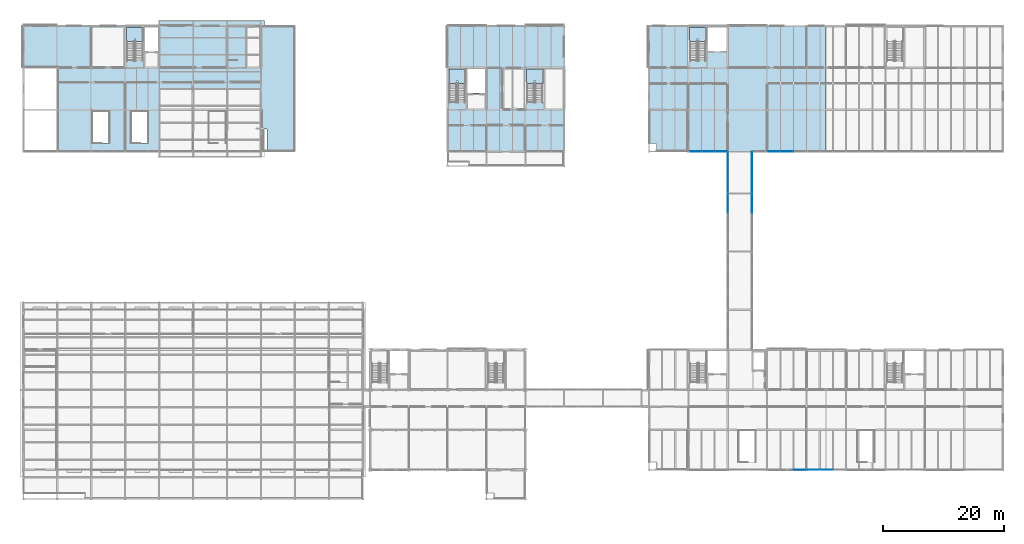
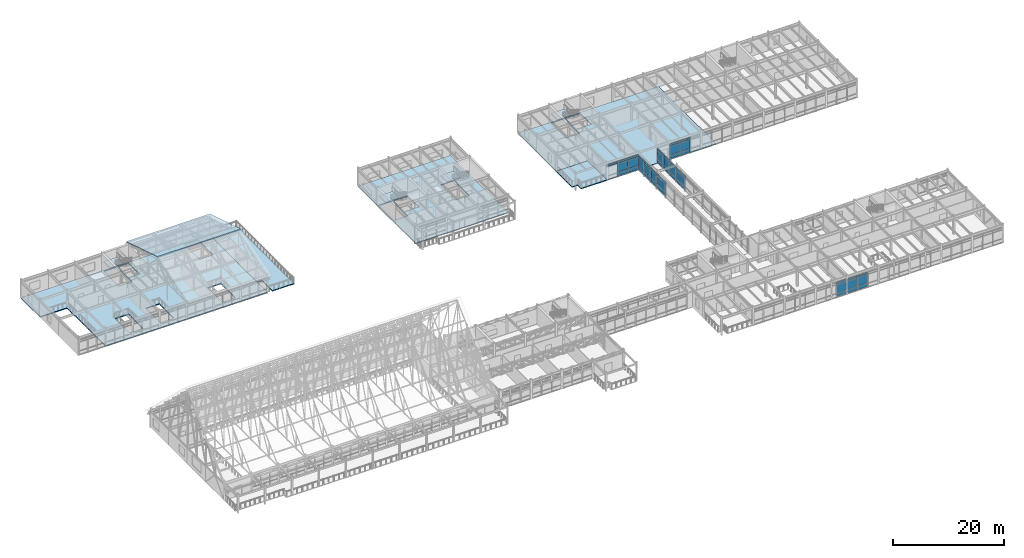
# One storey, part 98 of 144: 46 plates, 10 slabs, 12 elements without a shape of their own.
"""IFC4 building model written with IfcOpenShell, lengths in metres."""

from ifc_helpers import new_model, si_unit, direction, frame, origin, origin_2d, place, context, subcontext, project, spatial, polyline, rectangle, outline, extrude, material, layer, layer_set, type_object, element, aggregate, save


model = new_model("IFC4")

# Units and contexts
model_context = context("Model", 3, precision=1e-05, world=origin(), true_north=direction((0.0, 1.0)))
body_context = subcontext(model_context, "Body", "Model", "MODEL_VIEW")
ifc_project = project(units=[si_unit("LENGTHUNIT", "METRE"), si_unit("AREAUNIT", "SQUARE_METRE"), si_unit("VOLUMEUNIT", "CUBIC_METRE"), si_unit("PLANEANGLEUNIT", "RADIAN"), si_unit("MASSUNIT", "GRAM", prefix="KILO")], contexts=[model_context])

# Site, building, storey
site_placement = place(None, origin())
site = spatial("IfcSite", under=ifc_project, at=site_placement, CompositionType="ELEMENT")
building_placement = place(site_placement, origin())
building = spatial("IfcBuilding", under=site, at=building_placement, Name="Trelmorton Wharf Fire Station", CompositionType="ELEMENT")
storey_placement = place(building_placement, frame((0.0, 0.0, 5.39990234375)))
storey = spatial("IfcBuildingStorey", under=building, at=storey_placement, Name="L01", CompositionType="ELEMENT", Elevation=5.39990234375)

# Curtain wall, plates
ifc_material_1 = material(Name="Anodised aluminium AW-6063", Category="aluminium")
ifc_layer_1 = layer(ifc_material_1, 0.175048828125)
ifc_layer_set_1 = layer_set([ifc_layer_1], Name="Anodised aluminium AW-6063")
curtain_wall_type_1 = type_object("IfcCurtainWallType", Name="CW_CHIC_B", PredefinedType="USERDEFINED", material=ifc_layer_set_1)
curtain_wall_1_placement = place(storey_placement, origin())
curtain_wall_1 = element("IfcCurtainWall", 1, at=curtain_wall_1_placement, inside=storey, type_object=curtain_wall_type_1, Name="CW-V5-L01-040", ObjectType="CHICAGO BAY CURTAIN WALL", PredefinedType="USERDEFINED")
ifc_material_2 = material(Name="Tempered low-E double glazing", Category="glass")
ifc_layer_2 = layer(ifc_material_2, 0.028076171875)
ifc_layer_set_2 = layer_set([ifc_layer_2], Name="Tempered low-E double glazing")
plate_type_1 = type_object("IfcPlateType", Name="CWP_GLAZ_28", PredefinedType="CURTAIN_PANEL", material=ifc_layer_set_2)
plate_1_placement = place(storey_placement, frame((128.8984375, 7.800048828125, 0.06005859375), z_axis=(0.0, 0.0, 1.0), x_axis=(-1.0, 0.0, 0.0)))
plate_1 = element("IfcPlate", 2, at=plate_1_placement, type_object=plate_type_1, Name="CW2 panel 1.1", PredefinedType="CURTAIN_PANEL", context=body_context, shape_type="SweptSolid", body=[
    extrude(rectangle(XDim=2.0732421875, YDim=0.028076171875, at=origin_2d()), origin(), (0.0, 0.0, 1.0), 0.760009765625),
])
plate_2_placement = place(storey_placement, frame((128.8984375, 7.800048828125, 0.88037109375), z_axis=(0.0, 0.0, 1.0), x_axis=(-1.0, 0.0, 0.0)))
plate_2 = element("IfcPlate", 3, at=plate_2_placement, type_object=plate_type_1, Name="CW2 panel 1.2", PredefinedType="CURTAIN_PANEL", context=body_context, shape_type="SweptSolid", body=[
    extrude(rectangle(XDim=2.0732421875, YDim=0.028076171875, at=origin_2d()), origin(), (0.0, 0.0, 1.0), 1.909912109375),
])
plate_3_placement = place(storey_placement, frame((128.8984375, 7.800048828125, 2.85009765625), z_axis=(0.0, 0.0, 1.0), x_axis=(-1.0, 0.0, 0.0)))
plate_3 = element("IfcPlate", 4, at=plate_3_placement, type_object=plate_type_1, Name="CW2 panel 1.3", PredefinedType="CURTAIN_PANEL", context=body_context, shape_type="SweptSolid", body=[
    extrude(rectangle(XDim=2.0732421875, YDim=0.028076171875, at=origin_2d()), origin(), (0.0, 0.0, 1.0), 0.409912109375),
])
aggregate(curtain_wall_1, [plate_1, plate_2, plate_3])

ifc_layer_3 = layer(ifc_material_1, 0.159912109375)
ifc_layer_set_3 = layer_set([ifc_layer_3], Name="Anodised aluminium AW-6063")
curtain_wall_type_2 = type_object("IfcCurtainWallType", Name="CW_CHIC_A", PredefinedType="USERDEFINED", material=ifc_layer_set_3)
curtain_wall_2_placement = place(storey_placement, origin())
curtain_wall_2 = element("IfcCurtainWall", 5, at=curtain_wall_2_placement, inside=storey, type_object=curtain_wall_type_2, Name="CW-V5-L01-041", ObjectType="CHICAGO BAY CURTAIN WALL", PredefinedType="USERDEFINED")
plate_4_placement = place(storey_placement, frame((133.25, 7.800048828125, 0.06005859375), z_axis=(0.0, 0.0, 1.0), x_axis=(-1.0, 0.0, 0.0)))
plate_4 = element("IfcPlate", 6, at=plate_4_placement, type_object=plate_type_1, Name="CW1 panel 2.1", PredefinedType="CURTAIN_PANEL", context=body_context, shape_type="SweptSolid", body=[
    extrude(rectangle(XDim=2.103271484375, YDim=0.028076171875, at=origin_2d()), origin(), (0.0, 0.0, 1.0), 0.760009765625),
])
plate_5_placement = place(storey_placement, frame((133.25, 7.800048828125, 0.88037109375), z_axis=(0.0, 0.0, 1.0), x_axis=(-1.0, 0.0, 0.0)))
plate_5 = element("IfcPlate", 7, at=plate_5_placement, type_object=plate_type_1, Name="CW1 panel 2.2", PredefinedType="CURTAIN_PANEL", context=body_context, shape_type="SweptSolid", body=[
    extrude(rectangle(XDim=2.103271484375, YDim=0.028076171875, at=origin_2d()), origin(), (0.0, 0.0, 1.0), 1.909912109375),
])
plate_6_placement = place(storey_placement, frame((133.25, 7.800048828125, 2.85009765625), z_axis=(0.0, 0.0, 1.0), x_axis=(-1.0, 0.0, 0.0)))
plate_6 = element("IfcPlate", 8, at=plate_6_placement, type_object=plate_type_1, Name="CW1 panel 2.3", PredefinedType="CURTAIN_PANEL", context=body_context, shape_type="SweptSolid", body=[
    extrude(rectangle(XDim=2.103271484375, YDim=0.028076171875, at=origin_2d()), origin(), (0.0, 0.0, 1.0), 0.409912109375),
])
plate_7_placement = place(storey_placement, frame((131.1015625, 7.800048828125, 0.06005859375), z_axis=(0.0, 0.0, 1.0), x_axis=(-1.0, 0.0, 0.0)))
plate_7 = element("IfcPlate", 9, at=plate_7_placement, type_object=plate_type_1, Name="CW1 panel 3.1", PredefinedType="CURTAIN_PANEL", context=body_context, shape_type="SweptSolid", body=[
    extrude(rectangle(XDim=2.0732421875, YDim=0.028076171875, at=origin_2d()), origin(), (0.0, 0.0, 1.0), 0.760009765625),
])
plate_8_placement = place(storey_placement, frame((131.1015625, 7.800048828125, 0.88037109375), z_axis=(0.0, 0.0, 1.0), x_axis=(-1.0, 0.0, 0.0)))
plate_8 = element("IfcPlate", 10, at=plate_8_placement, type_object=plate_type_1, Name="CW1 panel 3.2", PredefinedType="CURTAIN_PANEL", context=body_context, shape_type="SweptSolid", body=[
    extrude(rectangle(XDim=2.0732421875, YDim=0.028076171875, at=origin_2d()), origin(), (0.0, 0.0, 1.0), 1.909912109375),
])
plate_9_placement = place(storey_placement, frame((131.1015625, 7.800048828125, 2.85009765625), z_axis=(0.0, 0.0, 1.0), x_axis=(-1.0, 0.0, 0.0)))
plate_9 = element("IfcPlate", 11, at=plate_9_placement, type_object=plate_type_1, Name="CW1 panel 3.3", PredefinedType="CURTAIN_PANEL", context=body_context, shape_type="SweptSolid", body=[
    extrude(rectangle(XDim=2.0732421875, YDim=0.028076171875, at=origin_2d()), origin(), (0.0, 0.0, 1.0), 0.409912109375),
])
aggregate(curtain_wall_2, [plate_4, plate_5, plate_6, plate_7, plate_8, plate_9])

curtain_wall_3_placement = place(storey_placement, origin())
curtain_wall_3 = element("IfcCurtainWall", 12, at=curtain_wall_3_placement, inside=storey, type_object=curtain_wall_type_2, Name="CW-V4-L01-124", ObjectType="CHICAGO BAY CURTAIN WALL", PredefinedType="USERDEFINED")
plate_10_placement = place(storey_placement, frame((126.75, 60.300048828125, 0.06005859375), z_axis=(0.0, 0.0, 1.0), x_axis=(-1.0, 0.0, 0.0)))
plate_10 = element("IfcPlate", 13, at=plate_10_placement, type_object=plate_type_1, Name="CW1 panel 2.1", PredefinedType="CURTAIN_PANEL", context=body_context, shape_type="SweptSolid", body=[
    extrude(rectangle(XDim=2.103271484375, YDim=0.028076171875, at=origin_2d()), origin(), (0.0, 0.0, 1.0), 0.760009765625),
])
plate_11_placement = place(storey_placement, frame((126.75, 60.300048828125, 0.88037109375), z_axis=(0.0, 0.0, 1.0), x_axis=(-1.0, 0.0, 0.0)))
plate_11 = element("IfcPlate", 14, at=plate_11_placement, type_object=plate_type_1, Name="CW1 panel 2.2", PredefinedType="CURTAIN_PANEL", context=body_context, shape_type="SweptSolid", body=[
    extrude(rectangle(XDim=2.103271484375, YDim=0.028076171875, at=origin_2d()), origin(), (0.0, 0.0, 1.0), 1.909912109375),
])
plate_12_placement = place(storey_placement, frame((126.75, 60.300048828125, 2.85009765625), z_axis=(0.0, 0.0, 1.0), x_axis=(-1.0, 0.0, 0.0)))
plate_12 = element("IfcPlate", 15, at=plate_12_placement, type_object=plate_type_1, Name="CW1 panel 2.3", PredefinedType="CURTAIN_PANEL", context=body_context, shape_type="SweptSolid", body=[
    extrude(rectangle(XDim=2.103271484375, YDim=0.028076171875, at=origin_2d()), origin(), (0.0, 0.0, 1.0), 0.409912109375),
])
plate_13_placement = place(storey_placement, frame((124.6015625, 60.300048828125, 0.06005859375), z_axis=(0.0, 0.0, 1.0), x_axis=(-1.0, 0.0, 0.0)))
plate_13 = element("IfcPlate", 16, at=plate_13_placement, type_object=plate_type_1, Name="CW1 panel 3.1", PredefinedType="CURTAIN_PANEL", context=body_context, shape_type="SweptSolid", body=[
    extrude(rectangle(XDim=2.0732421875, YDim=0.028076171875, at=origin_2d()), origin(), (0.0, 0.0, 1.0), 0.760009765625),
])
plate_14_placement = place(storey_placement, frame((124.6015625, 60.300048828125, 0.88037109375), z_axis=(0.0, 0.0, 1.0), x_axis=(-1.0, 0.0, 0.0)))
plate_14 = element("IfcPlate", 17, at=plate_14_placement, type_object=plate_type_1, Name="CW1 panel 3.2", PredefinedType="CURTAIN_PANEL", context=body_context, shape_type="SweptSolid", body=[
    extrude(rectangle(XDim=2.0732421875, YDim=0.028076171875, at=origin_2d()), origin(), (0.0, 0.0, 1.0), 1.909912109375),
])
plate_15_placement = place(storey_placement, frame((124.6015625, 60.300048828125, 2.85009765625), z_axis=(0.0, 0.0, 1.0), x_axis=(-1.0, 0.0, 0.0)))
plate_15 = element("IfcPlate", 18, at=plate_15_placement, type_object=plate_type_1, Name="CW1 panel 3.3", PredefinedType="CURTAIN_PANEL", context=body_context, shape_type="SweptSolid", body=[
    extrude(rectangle(XDim=2.0732421875, YDim=0.028076171875, at=origin_2d()), origin(), (0.0, 0.0, 1.0), 0.409912109375),
])
aggregate(curtain_wall_3, [plate_10, plate_11, plate_12, plate_13, plate_14, plate_15])

ifc_layer_4 = layer(ifc_material_1, 0.139892578125)
ifc_layer_set_4 = layer_set([ifc_layer_4], Name="Anodised aluminium AW-6063")
curtain_wall_type_3 = type_object("IfcCurtainWallType", Name="CW_BRDG_A", PredefinedType="USERDEFINED", material=ifc_layer_set_4)
curtain_wall_4_placement = place(storey_placement, origin())
curtain_wall_4 = element("IfcCurtainWall", 19, at=curtain_wall_4_placement, inside=storey, type_object=curtain_wall_type_3, Name="CW-BR-L01-164", ObjectType="UNITISED CURTAIN WALL", PredefinedType="USERDEFINED")
plate_16_placement = place(storey_placement, frame((117.0, 51.78173828125, 0.06005859375), z_axis=(0.0, 0.0, 1.0), x_axis=(0.0, 1.0, 0.0)))
plate_16 = element("IfcPlate", 20, at=plate_16_placement, type_object=plate_type_1, Name="CW4 panel 3.1", PredefinedType="CURTAIN_PANEL", context=body_context, shape_type="SweptSolid", body=[
    extrude(rectangle(XDim=3.106689453125, YDim=0.028076171875, at=origin_2d()), origin(), (0.0, 0.0, 1.0), 0.760009765625),
])
plate_17_placement = place(storey_placement, frame((117.0, 51.78173828125, 0.88037109375), z_axis=(0.0, 0.0, 1.0), x_axis=(0.0, 1.0, 0.0)))
plate_17 = element("IfcPlate", 21, at=plate_17_placement, type_object=plate_type_1, Name="CW4 panel 3.2", PredefinedType="CURTAIN_PANEL", context=body_context, shape_type="SweptSolid", body=[
    extrude(rectangle(XDim=3.106689453125, YDim=0.028076171875, at=origin_2d()), origin(), (0.0, 0.0, 1.0), 1.909912109375),
])
plate_18_placement = place(storey_placement, frame((117.0, 51.78173828125, 2.85009765625), z_axis=(0.0, 0.0, 1.0), x_axis=(0.0, 1.0, 0.0)))
plate_18 = element("IfcPlate", 22, at=plate_18_placement, type_object=plate_type_1, Name="CW4 panel 3.3", PredefinedType="CURTAIN_PANEL", context=body_context, shape_type="SweptSolid", body=[
    extrude(rectangle(XDim=3.106689453125, YDim=0.028076171875, at=origin_2d()), origin(), (0.0, 0.0, 1.0), 0.409912109375),
])
aggregate(curtain_wall_4, [plate_16, plate_17, plate_18])

curtain_wall_5_placement = place(storey_placement, origin())
curtain_wall_5 = element("IfcCurtainWall", 23, at=curtain_wall_5_placement, inside=storey, type_object=curtain_wall_type_3, Name="CW-BR-L01-166", ObjectType="UNITISED CURTAIN WALL", PredefinedType="USERDEFINED")
plate_19_placement = place(storey_placement, frame((117.0, 54.568359375, 0.06005859375), z_axis=(0.0, 0.0, 1.0), x_axis=(0.0, 1.0, 0.0)))
plate_19 = element("IfcPlate", 24, at=plate_19_placement, type_object=plate_type_1, Name="CW4 panel 1.1", PredefinedType="CURTAIN_PANEL", context=body_context, shape_type="SweptSolid", body=[
    extrude(rectangle(XDim=2.206787109375, YDim=0.028076171875, at=origin_2d()), origin(), (0.0, 0.0, 1.0), 0.760009765625),
])
plate_20_placement = place(storey_placement, frame((117.0, 54.568359375, 0.88037109375), z_axis=(0.0, 0.0, 1.0), x_axis=(0.0, 1.0, 0.0)))
plate_20 = element("IfcPlate", 25, at=plate_20_placement, type_object=plate_type_1, Name="CW4 panel 1.2", PredefinedType="CURTAIN_PANEL", context=body_context, shape_type="SweptSolid", body=[
    extrude(rectangle(XDim=2.206787109375, YDim=0.028076171875, at=origin_2d()), origin(), (0.0, 0.0, 1.0), 1.909912109375),
])
plate_21_placement = place(storey_placement, frame((117.0, 54.568359375, 2.85009765625), z_axis=(0.0, 0.0, 1.0), x_axis=(0.0, 1.0, 0.0)))
plate_21 = element("IfcPlate", 26, at=plate_21_placement, type_object=plate_type_1, Name="CW4 panel 1.3", PredefinedType="CURTAIN_PANEL", context=body_context, shape_type="SweptSolid", body=[
    extrude(rectangle(XDim=2.206787109375, YDim=0.028076171875, at=origin_2d()), origin(), (0.0, 0.0, 1.0), 0.409912109375),
])
plate_22_placement = place(storey_placement, frame((117.0, 56.85009765625, 0.06005859375), z_axis=(0.0, 0.0, 1.0), x_axis=(0.0, 1.0, 0.0)))
plate_22 = element("IfcPlate", 27, at=plate_22_placement, type_object=plate_type_1, Name="CW4 panel 2.1", PredefinedType="CURTAIN_PANEL", context=body_context, shape_type="SweptSolid", body=[
    extrude(rectangle(XDim=2.236572265625, YDim=0.028076171875, at=origin_2d()), origin(), (0.0, 0.0, 1.0), 0.760009765625),
])
plate_23_placement = place(storey_placement, frame((117.0, 56.85009765625, 0.88037109375), z_axis=(0.0, 0.0, 1.0), x_axis=(0.0, 1.0, 0.0)))
plate_23 = element("IfcPlate", 28, at=plate_23_placement, type_object=plate_type_1, Name="CW4 panel 2.2", PredefinedType="CURTAIN_PANEL", context=body_context, shape_type="SweptSolid", body=[
    extrude(rectangle(XDim=2.236572265625, YDim=0.028076171875, at=origin_2d()), origin(), (0.0, 0.0, 1.0), 1.909912109375),
])
plate_24_placement = place(storey_placement, frame((117.0, 56.85009765625, 2.85009765625), z_axis=(0.0, 0.0, 1.0), x_axis=(0.0, 1.0, 0.0)))
plate_24 = element("IfcPlate", 29, at=plate_24_placement, type_object=plate_type_1, Name="CW4 panel 2.3", PredefinedType="CURTAIN_PANEL", context=body_context, shape_type="SweptSolid", body=[
    extrude(rectangle(XDim=2.236572265625, YDim=0.028076171875, at=origin_2d()), origin(), (0.0, 0.0, 1.0), 0.409912109375),
])
plate_25_placement = place(storey_placement, frame((117.0, 59.131591796875, 0.06005859375), z_axis=(0.0, 0.0, 1.0), x_axis=(0.0, 1.0, 0.0)))
plate_25 = element("IfcPlate", 30, at=plate_25_placement, type_object=plate_type_1, Name="CW4 panel 3.1", PredefinedType="CURTAIN_PANEL", context=body_context, shape_type="SweptSolid", body=[
    extrude(rectangle(XDim=2.206787109375, YDim=0.028076171875, at=origin_2d()), origin(), (0.0, 0.0, 1.0), 0.760009765625),
])
plate_26_placement = place(storey_placement, frame((117.0, 59.131591796875, 0.88037109375), z_axis=(0.0, 0.0, 1.0), x_axis=(0.0, 1.0, 0.0)))
plate_26 = element("IfcPlate", 31, at=plate_26_placement, type_object=plate_type_1, Name="CW4 panel 3.2", PredefinedType="CURTAIN_PANEL", context=body_context, shape_type="SweptSolid", body=[
    extrude(rectangle(XDim=2.206787109375, YDim=0.028076171875, at=origin_2d()), origin(), (0.0, 0.0, 1.0), 1.909912109375),
])
plate_27_placement = place(storey_placement, frame((117.0, 59.131591796875, 2.85009765625), z_axis=(0.0, 0.0, 1.0), x_axis=(0.0, 1.0, 0.0)))
plate_27 = element("IfcPlate", 32, at=plate_27_placement, type_object=plate_type_1, Name="CW4 panel 3.3", PredefinedType="CURTAIN_PANEL", context=body_context, shape_type="SweptSolid", body=[
    extrude(rectangle(XDim=2.206787109375, YDim=0.028076171875, at=origin_2d()), origin(), (0.0, 0.0, 1.0), 0.409912109375),
])
aggregate(curtain_wall_5, [plate_19, plate_20, plate_21, plate_22, plate_23, plate_24, plate_25, plate_26, plate_27])

curtain_wall_6_placement = place(storey_placement, origin())
curtain_wall_6 = element("IfcCurtainWall", 33, at=curtain_wall_6_placement, inside=storey, type_object=curtain_wall_type_3, Name="CW-BR-L01-167", ObjectType="UNITISED CURTAIN WALL", PredefinedType="USERDEFINED")
plate_28_placement = place(storey_placement, frame((121.0, 59.131591796875, 0.06005859375), z_axis=(0.0, 0.0, 1.0), x_axis=(0.0, -1.0, 0.0)))
plate_28 = element("IfcPlate", 34, at=plate_28_placement, type_object=plate_type_1, Name="CW4 panel 1.1", PredefinedType="CURTAIN_PANEL", context=body_context, shape_type="SweptSolid", body=[
    extrude(rectangle(XDim=2.206787109375, YDim=0.028076171875, at=origin_2d()), origin(), (0.0, 0.0, 1.0), 0.760009765625),
])
plate_29_placement = place(storey_placement, frame((121.0, 59.131591796875, 0.88037109375), z_axis=(0.0, 0.0, 1.0), x_axis=(0.0, -1.0, 0.0)))
plate_29 = element("IfcPlate", 35, at=plate_29_placement, type_object=plate_type_1, Name="CW4 panel 1.2", PredefinedType="CURTAIN_PANEL", context=body_context, shape_type="SweptSolid", body=[
    extrude(rectangle(XDim=2.206787109375, YDim=0.028076171875, at=origin_2d()), origin(), (0.0, 0.0, 1.0), 1.909912109375),
])
plate_30_placement = place(storey_placement, frame((121.0, 59.131591796875, 2.85009765625), z_axis=(0.0, 0.0, 1.0), x_axis=(0.0, -1.0, 0.0)))
plate_30 = element("IfcPlate", 36, at=plate_30_placement, type_object=plate_type_1, Name="CW4 panel 1.3", PredefinedType="CURTAIN_PANEL", context=body_context, shape_type="SweptSolid", body=[
    extrude(rectangle(XDim=2.206787109375, YDim=0.028076171875, at=origin_2d()), origin(), (0.0, 0.0, 1.0), 0.409912109375),
])
plate_31_placement = place(storey_placement, frame((121.0, 56.85009765625, 0.06005859375), z_axis=(0.0, 0.0, 1.0), x_axis=(0.0, -1.0, 0.0)))
plate_31 = element("IfcPlate", 37, at=plate_31_placement, type_object=plate_type_1, Name="CW4 panel 2.1", PredefinedType="CURTAIN_PANEL", context=body_context, shape_type="SweptSolid", body=[
    extrude(rectangle(XDim=2.236572265625, YDim=0.028076171875, at=origin_2d()), origin(), (0.0, 0.0, 1.0), 0.760009765625),
])
plate_32_placement = place(storey_placement, frame((121.0, 56.85009765625, 0.88037109375), z_axis=(0.0, 0.0, 1.0), x_axis=(0.0, -1.0, 0.0)))
plate_32 = element("IfcPlate", 38, at=plate_32_placement, type_object=plate_type_1, Name="CW4 panel 2.2", PredefinedType="CURTAIN_PANEL", context=body_context, shape_type="SweptSolid", body=[
    extrude(rectangle(XDim=2.236572265625, YDim=0.028076171875, at=origin_2d()), origin(), (0.0, 0.0, 1.0), 1.909912109375),
])
plate_33_placement = place(storey_placement, frame((121.0, 56.85009765625, 2.85009765625), z_axis=(0.0, 0.0, 1.0), x_axis=(0.0, -1.0, 0.0)))
plate_33 = element("IfcPlate", 39, at=plate_33_placement, type_object=plate_type_1, Name="CW4 panel 2.3", PredefinedType="CURTAIN_PANEL", context=body_context, shape_type="SweptSolid", body=[
    extrude(rectangle(XDim=2.236572265625, YDim=0.028076171875, at=origin_2d()), origin(), (0.0, 0.0, 1.0), 0.409912109375),
])
plate_34_placement = place(storey_placement, frame((121.0, 54.568359375, 0.06005859375), z_axis=(0.0, 0.0, 1.0), x_axis=(0.0, -1.0, 0.0)))
plate_34 = element("IfcPlate", 40, at=plate_34_placement, type_object=plate_type_1, Name="CW4 panel 3.1", PredefinedType="CURTAIN_PANEL", context=body_context, shape_type="SweptSolid", body=[
    extrude(rectangle(XDim=2.206787109375, YDim=0.028076171875, at=origin_2d()), origin(), (0.0, 0.0, 1.0), 0.760009765625),
])
plate_35_placement = place(storey_placement, frame((121.0, 54.568359375, 0.88037109375), z_axis=(0.0, 0.0, 1.0), x_axis=(0.0, -1.0, 0.0)))
plate_35 = element("IfcPlate", 41, at=plate_35_placement, type_object=plate_type_1, Name="CW4 panel 3.2", PredefinedType="CURTAIN_PANEL", context=body_context, shape_type="SweptSolid", body=[
    extrude(rectangle(XDim=2.206787109375, YDim=0.028076171875, at=origin_2d()), origin(), (0.0, 0.0, 1.0), 1.909912109375),
])
plate_36_placement = place(storey_placement, frame((121.0, 54.568359375, 2.85009765625), z_axis=(0.0, 0.0, 1.0), x_axis=(0.0, -1.0, 0.0)))
plate_36 = element("IfcPlate", 42, at=plate_36_placement, type_object=plate_type_1, Name="CW4 panel 3.3", PredefinedType="CURTAIN_PANEL", context=body_context, shape_type="SweptSolid", body=[
    extrude(rectangle(XDim=2.206787109375, YDim=0.028076171875, at=origin_2d()), origin(), (0.0, 0.0, 1.0), 0.409912109375),
])
aggregate(curtain_wall_6, [plate_28, plate_29, plate_30, plate_31, plate_32, plate_33, plate_34, plate_35, plate_36])

curtain_wall_7_placement = place(storey_placement, origin())
curtain_wall_7 = element("IfcCurtainWall", 43, at=curtain_wall_7_placement, inside=storey, type_object=curtain_wall_type_2, Name="CW-V4-L01-123", ObjectType="CHICAGO BAY CURTAIN WALL", PredefinedType="USERDEFINED")
ifc_layer_5 = layer(ifc_material_2, 0.028076171875)
ifc_layer_set_5 = layer_set([ifc_layer_5], Name="Tempered low-E double glazing")
plate_type_2 = type_object("IfcPlateType", Name="CWP_GLAZ_38", PredefinedType="CURTAIN_PANEL", material=ifc_layer_set_5)
plate_37_placement = place(storey_placement, frame((115.8984375, 60.300048828125, 0.06005859375), z_axis=(0.0, 0.0, 1.0), x_axis=(-1.0, 0.0, 0.0)))
plate_37 = element("IfcPlate", 44, at=plate_37_placement, type_object=plate_type_2, Name="CW1 panel 1.1", PredefinedType="CURTAIN_PANEL", context=body_context, shape_type="SweptSolid", body=[
    extrude(rectangle(XDim=2.0732421875, YDim=0.028076171875, at=origin_2d()), origin(), (0.0, 0.0, 1.0), 0.760009765625),
])
plate_38_placement = place(storey_placement, frame((115.8984375, 60.300048828125, 0.88037109375), z_axis=(0.0, 0.0, 1.0), x_axis=(-1.0, 0.0, 0.0)))
plate_38 = element("IfcPlate", 45, at=plate_38_placement, type_object=plate_type_2, Name="CW1 panel 1.2", PredefinedType="CURTAIN_PANEL", context=body_context, shape_type="SweptSolid", body=[
    extrude(rectangle(XDim=2.0732421875, YDim=0.028076171875, at=origin_2d()), origin(), (0.0, 0.0, 1.0), 1.909912109375),
])
plate_39_placement = place(storey_placement, frame((115.8984375, 60.300048828125, 2.85009765625), z_axis=(0.0, 0.0, 1.0), x_axis=(-1.0, 0.0, 0.0)))
plate_39 = element("IfcPlate", 46, at=plate_39_placement, type_object=plate_type_2, Name="CW1 panel 1.3", PredefinedType="CURTAIN_PANEL", context=body_context, shape_type="SweptSolid", body=[
    extrude(rectangle(XDim=2.0732421875, YDim=0.028076171875, at=origin_2d()), origin(), (0.0, 0.0, 1.0), 0.409912109375),
])
plate_40_placement = place(storey_placement, frame((113.75, 60.300048828125, 0.06005859375), z_axis=(0.0, 0.0, 1.0), x_axis=(-1.0, 0.0, 0.0)))
plate_40 = element("IfcPlate", 47, at=plate_40_placement, type_object=plate_type_2, Name="CW1 panel 2.1", PredefinedType="CURTAIN_PANEL", context=body_context, shape_type="SweptSolid", body=[
    extrude(rectangle(XDim=2.103271484375, YDim=0.028076171875, at=origin_2d()), origin(), (0.0, 0.0, 1.0), 0.760009765625),
])
plate_41_placement = place(storey_placement, frame((113.75, 60.300048828125, 0.88037109375), z_axis=(0.0, 0.0, 1.0), x_axis=(-1.0, 0.0, 0.0)))
plate_41 = element("IfcPlate", 48, at=plate_41_placement, type_object=plate_type_2, Name="CW1 panel 2.2", PredefinedType="CURTAIN_PANEL", context=body_context, shape_type="SweptSolid", body=[
    extrude(rectangle(XDim=2.103271484375, YDim=0.028076171875, at=origin_2d()), origin(), (0.0, 0.0, 1.0), 1.909912109375),
])
plate_42_placement = place(storey_placement, frame((113.75, 60.300048828125, 2.85009765625), z_axis=(0.0, 0.0, 1.0), x_axis=(-1.0, 0.0, 0.0)))
plate_42 = element("IfcPlate", 49, at=plate_42_placement, type_object=plate_type_2, Name="CW1 panel 2.3", PredefinedType="CURTAIN_PANEL", context=body_context, shape_type="SweptSolid", body=[
    extrude(rectangle(XDim=2.103271484375, YDim=0.028076171875, at=origin_2d()), origin(), (0.0, 0.0, 1.0), 0.409912109375),
])
plate_43_placement = place(storey_placement, frame((111.6015625, 60.300048828125, 2.85009765625), z_axis=(0.0, 0.0, 1.0), x_axis=(-1.0, 0.0, 0.0)))
plate_43 = element("IfcPlate", 50, at=plate_43_placement, type_object=plate_type_2, Name="CW1 panel 3.3", PredefinedType="CURTAIN_PANEL", context=body_context, shape_type="SweptSolid", body=[
    extrude(rectangle(XDim=2.0732421875, YDim=0.028076171875, at=origin_2d()), origin(), (0.0, 0.0, 1.0), 0.409912109375),
])
aggregate(curtain_wall_7, [plate_37, plate_38, plate_39, plate_40, plate_41, plate_42, plate_43])

curtain_wall_8_placement = place(storey_placement, origin())
curtain_wall_8 = element("IfcCurtainWall", 51, at=curtain_wall_8_placement, inside=storey, type_object=curtain_wall_type_3, Name="CW-BR-L01-165", ObjectType="UNITISED CURTAIN WALL", PredefinedType="USERDEFINED")
plate_44_placement = place(storey_placement, frame((121.0, 51.78173828125, 0.06005859375), z_axis=(0.0, 0.0, 1.0), x_axis=(0.0, -1.0, 0.0)))
plate_44 = element("IfcPlate", 52, at=plate_44_placement, type_object=plate_type_2, Name="CW4 panel 1.1", PredefinedType="CURTAIN_PANEL", context=body_context, shape_type="SweptSolid", body=[
    extrude(rectangle(XDim=3.106689453125, YDim=0.028076171875, at=origin_2d()), origin(), (0.0, 0.0, 1.0), 0.760009765625),
])
plate_45_placement = place(storey_placement, frame((121.0, 51.78173828125, 0.88037109375), z_axis=(0.0, 0.0, 1.0), x_axis=(0.0, -1.0, 0.0)))
plate_45 = element("IfcPlate", 53, at=plate_45_placement, type_object=plate_type_2, Name="CW4 panel 1.2", PredefinedType="CURTAIN_PANEL", context=body_context, shape_type="SweptSolid", body=[
    extrude(rectangle(XDim=3.106689453125, YDim=0.028076171875, at=origin_2d()), origin(), (0.0, 0.0, 1.0), 1.909912109375),
])
plate_46_placement = place(storey_placement, frame((121.0, 51.78173828125, 2.85009765625), z_axis=(0.0, 0.0, 1.0), x_axis=(0.0, -1.0, 0.0)))
plate_46 = element("IfcPlate", 54, at=plate_46_placement, type_object=plate_type_2, Name="CW4 panel 1.3", PredefinedType="CURTAIN_PANEL", context=body_context, shape_type="SweptSolid", body=[
    extrude(rectangle(XDim=3.106689453125, YDim=0.028076171875, at=origin_2d()), origin(), (0.0, 0.0, 1.0), 0.409912109375),
])
aggregate(curtain_wall_8, [plate_44, plate_45, plate_46])

# Slabs
ifc_material_3 = material(Name="Concrete 40 MPa", Category="concrete")
ifc_layer_6 = layer(ifc_material_3, 0.199951171875)
ifc_layer_set_6 = layer_set([ifc_layer_6], Name="Concrete 40 MPa")
slab_type_1 = type_object("IfcSlabType", Name="SL_FLOOR_200", PredefinedType="FLOOR", material=ifc_layer_set_6)
slab_1_placement = place(storey_placement, frame((0.0, 0.0, -0.199951171875)))
element("IfcSlab", 55, at=slab_1_placement, inside=storey, type_object=slab_type_1, Name="SL-V2-L01-040", PredefinedType="FLOOR", context=body_context, shape_type="SweptSolid", body=[
    extrude(outline(polyline([(90.0, 81.0), (90.0, 60.300048828125), (70.800048828125, 60.300048828125), (70.800048828125, 81.0), (90.0, 81.0)]), holes=[polyline([(71.02001953125, 68.43994140625), (73.81005859375, 68.43994140625), (73.81005859375, 73.8798828125), (71.02001953125, 73.8798828125), (71.02001953125, 68.43994140625)]), polyline([(74.0400390625, 73.8798828125), (74.0400390625, 69.919921875), (76.97998046875, 69.919921875), (76.97998046875, 73.8798828125), (74.0400390625, 73.8798828125)]), polyline([(86.610107421875, 73.8798828125), (83.820068359375, 73.8798828125), (83.820068359375, 68.43994140625), (86.610107421875, 68.43994140625), (86.610107421875, 73.8798828125)])]), origin(), (0.0, 0.0, 1.0), 0.199951171875),
])
slab_2_placement = place(storey_placement, frame((0.0, 0.0, -0.199951171875)))
element("IfcSlab", 56, at=slab_2_placement, inside=storey, type_object=slab_type_1, Name="SL-V4-L01-054", PredefinedType="FLOOR", context=body_context, shape_type="SweptSolid", body=[
    extrude(outline(polyline([(110.5, 67.199951171875), (104.0, 67.199951171875), (104.0, 81.0), (133.199951171875, 81.0), (133.199951171875, 60.300048828125), (110.5, 60.300048828125), (110.5, 67.199951171875)]), holes=[polyline([(113.510009765625, 75.340087890625), (113.510009765625, 80.780029296875), (110.719970703125, 80.780029296875), (110.719970703125, 75.340087890625), (113.510009765625, 75.340087890625)]), polyline([(113.739990234375, 76.820068359375), (116.780029296875, 76.820068359375), (116.780029296875, 80.780029296875), (113.739990234375, 80.780029296875), (113.739990234375, 76.820068359375)])]), origin(), (0.0, 0.0, 1.0), 0.199951171875),
])
ifc_layer_7 = layer(ifc_material_3, 0.219970703125)
ifc_layer_set_7 = layer_set([ifc_layer_7], Name="Concrete 40 MPa")
slab_type_2 = type_object("IfcSlabType", Name="SL_FLOOR_220", PredefinedType="FLOOR", material=ifc_layer_set_7)
slab_3_placement = place(storey_placement, frame((0.0, 0.0, -0.219970703125)))
element("IfcSlab", 57, at=slab_3_placement, inside=storey, type_object=slab_type_2, Name="SL-V6-L01-034", PredefinedType="FLOOR", context=body_context, shape_type="SweptSolid", body=[
    extrude(outline(polyline([(0.800048828125, 81.0), (40.0, 81.0), (40.0, 60.300048828125), (6.39990234375, 60.300048828125), (6.39990234375, 74.10009765625), (0.800048828125, 74.10009765625), (0.800048828125, 81.0)]), holes=[polyline([(17.820068359375, 80.780029296875), (17.820068359375, 75.340087890625), (20.610107421875, 75.340087890625), (20.610107421875, 80.780029296875), (17.820068359375, 80.780029296875)]), polyline([(22.97998046875, 80.780029296875), (20.840087890625, 80.780029296875), (20.840087890625, 76.820068359375), (22.97998046875, 76.820068359375), (22.97998046875, 80.780029296875)]), polyline([(37.409912109375, 75.340087890625), (37.409912109375, 80.780029296875), (34.6201171875, 80.780029296875), (34.6201171875, 75.340087890625), (37.409912109375, 75.340087890625)]), polyline([(12.219970703125, 61.699951171875), (14.97998046875, 61.699951171875), (14.97998046875, 66.89990234375), (12.219970703125, 66.89990234375), (12.219970703125, 61.699951171875)]), polyline([(18.6201171875, 66.89990234375), (18.6201171875, 61.699951171875), (21.3798828125, 61.699951171875), (21.3798828125, 66.89990234375), (18.6201171875, 66.89990234375)]), polyline([(34.179931640625, 66.89990234375), (31.419921875, 66.89990234375), (31.419921875, 61.699951171875), (34.179931640625, 61.699951171875), (34.179931640625, 66.89990234375)])]), origin(), (0.0, 0.0, 1.0), 0.219970703125),
])

# Stair, slab
ifc_material_4 = material(Name="Precast concrete 45 MPa", Category="concrete")
stair_type = type_object("IfcStairType", Name="ST_DOG_420", PredefinedType="HALF_TURN_STAIR", material=ifc_material_4)
stair_1_placement = place(storey_placement, origin())
stair_1 = element("IfcStair", 58, at=stair_1_placement, inside=storey, type_object=stair_type, Name="Escape Stair ST6-L01", PredefinedType="HALF_TURN_STAIR")
ifc_layer_8 = layer(ifc_material_4, 0.199951171875)
ifc_layer_set_8 = layer_set([ifc_layer_8], Name="Precast concrete 45 MPa")
slab_type_3 = type_object("IfcSlabType", Name="SL_LAND_180", PredefinedType="LANDING", material=ifc_layer_set_8)
slab_4_placement = place(storey_placement, frame((0.0, 0.0, 1.900146484375)))
slab_4 = element("IfcSlab", 59, at=slab_4_placement, type_object=slab_type_3, Name="ST6-L01 landing 1", PredefinedType="LANDING", context=body_context, shape_type="SweptSolid", body=[
    extrude(outline(polyline([(17.824951171875, 78.429931640625), (19.10009765625, 78.429931640625), (19.10009765625, 78.85009765625), (19.300048828125, 78.85009765625), (19.300048828125, 78.429931640625), (20.60498046875, 78.429931640625), (20.60498046875, 80.77490234375), (17.824951171875, 80.77490234375), (17.824951171875, 78.429931640625)])), origin(), (0.0, 0.0, 1.0), 0.199951171875),
])
aggregate(stair_1, [slab_4])

stair_2_placement = place(storey_placement, origin())
stair_2 = element("IfcStair", 60, at=stair_2_placement, inside=storey, type_object=stair_type, Name="Escape Stair ST8-L01", PredefinedType="HALF_TURN_STAIR")
slab_5_placement = place(storey_placement, frame((0.0, 0.0, 1.900146484375)))
slab_5 = element("IfcSlab", 61, at=slab_5_placement, type_object=slab_type_3, Name="ST8-L01 landing 1", PredefinedType="LANDING", context=body_context, shape_type="SweptSolid", body=[
    extrude(outline(polyline([(71.02490234375, 71.530029296875), (72.260009765625, 71.530029296875), (72.260009765625, 71.949951171875), (72.4599609375, 71.949951171875), (72.4599609375, 71.530029296875), (73.804931640625, 71.530029296875), (73.804931640625, 73.875), (71.02490234375, 73.875), (71.02490234375, 71.530029296875)])), origin(), (0.0, 0.0, 1.0), 0.199951171875),
])
aggregate(stair_2, [slab_5])

stair_3_placement = place(storey_placement, origin())
stair_3 = element("IfcStair", 62, at=stair_3_placement, inside=storey, type_object=stair_type, Name="Escape Stair ST9-L01", PredefinedType="HALF_TURN_STAIR")
slab_6_placement = place(storey_placement, frame((0.0, 0.0, 1.900146484375)))
slab_6 = element("IfcSlab", 63, at=slab_6_placement, type_object=slab_type_3, Name="ST9-L01 landing 1", PredefinedType="LANDING", context=body_context, shape_type="SweptSolid", body=[
    extrude(outline(polyline([(83.824951171875, 71.530029296875), (85.06005859375, 71.530029296875), (85.06005859375, 71.949951171875), (85.260009765625, 71.949951171875), (85.260009765625, 71.530029296875), (86.60498046875, 71.530029296875), (86.60498046875, 73.875), (83.824951171875, 73.875), (83.824951171875, 71.530029296875)])), origin(), (0.0, 0.0, 1.0), 0.199951171875),
])
aggregate(stair_3, [slab_6])

stair_4_placement = place(storey_placement, origin())
stair_4 = element("IfcStair", 64, at=stair_4_placement, inside=storey, type_object=stair_type, Name="Escape Stair ST10-L01", PredefinedType="HALF_TURN_STAIR")
slab_7_placement = place(storey_placement, frame((0.0, 0.0, 1.900146484375)))
slab_7 = element("IfcSlab", 65, at=slab_7_placement, type_object=slab_type_3, Name="ST10-L01 landing 1", PredefinedType="LANDING", context=body_context, shape_type="SweptSolid", body=[
    extrude(outline(polyline([(110.72509765625, 78.429931640625), (111.9599609375, 78.429931640625), (111.9599609375, 78.85009765625), (112.159912109375, 78.85009765625), (112.159912109375, 78.429931640625), (113.5048828125, 78.429931640625), (113.5048828125, 80.77490234375), (110.72509765625, 80.77490234375), (110.72509765625, 78.429931640625)])), origin(), (0.0, 0.0, 1.0), 0.199951171875),
])
aggregate(stair_4, [slab_7])

# Slabs
ifc_layer_9 = layer(ifc_material_4, 0.199951171875)
ifc_layer_set_9 = layer_set([ifc_layer_9], Name="Precast concrete 45 MPa")
slab_type_4 = type_object("IfcSlabType", Name="SL_ROOF_SLOPED_200", PredefinedType="ROOF", material=ifc_layer_set_9)
slab_8_placement = place(storey_placement, frame((23.199951171875, 70.72998046875, 7.400146484375), z_axis=(0.0, 0.297314738768, 0.954779527488), x_axis=(1.0, 0.0, 0.0)))
element("IfcSlab", 66, at=slab_8_placement, inside=storey, type_object=slab_type_4, Name="SL-ROOF-V6-N", PredefinedType="ROOF", context=body_context, shape_type="SweptSolid", body=[
    extrude(outline(polyline([(0.0, 0.0), (17.35009765625, 0.0), (17.35009765625, 11.69895410763799), (0.0, 11.69895410763799), (0.0, 0.0)])), origin(), (0.0, 0.0, -1.0), 0.199951171875),
])
ifc_layer_10 = layer(ifc_material_3, 0.2099609375)
ifc_layer_set_10 = layer_set([ifc_layer_10], Name="Concrete 40 MPa")
slab_type_5 = type_object("IfcSlabType", Name="SL_TERRACE_210", PredefinedType="FLOOR", material=ifc_layer_set_10)
slab_9_placement = place(storey_placement, frame((0.0, 0.0, -0.2099609375)))
element("IfcSlab", 67, at=slab_9_placement, inside=storey, type_object=slab_type_5, Name="SL-EXT-V6_SMOKE_DECK_L01", PredefinedType="FLOOR", context=body_context, shape_type="SweptSolid", body=[
    extrude(outline(polyline([(40.0, 81.0), (45.60009765625, 81.0), (45.60009765625, 60.300048828125), (41.008056640625, 60.300048828125), (41.008056640625, 64.02587890625), (40.0, 64.02587890625), (40.0, 81.0)])), origin(), (0.0, 0.0, 1.0), 0.2099609375),
])
slab_10_placement = place(storey_placement, frame((0.0, 0.0, -0.2099609375)))
element("IfcSlab", 68, at=slab_10_placement, inside=storey, type_object=slab_type_5, Name="SL-EXT-V4_RECESS_SW_L01", PredefinedType="FLOOR", context=body_context, shape_type="SweptSolid", body=[
    extrude(outline(polyline([(104.0, 67.199951171875), (110.5, 67.199951171875), (110.5, 60.300048828125), (105.169921875, 60.300048828125), (105.169921875, 61.5419921875), (104.0, 61.5419921875), (104.0, 67.199951171875)])), origin(), (0.0, 0.0, 1.0), 0.2099609375),
])

save(model, "model.ifc")
